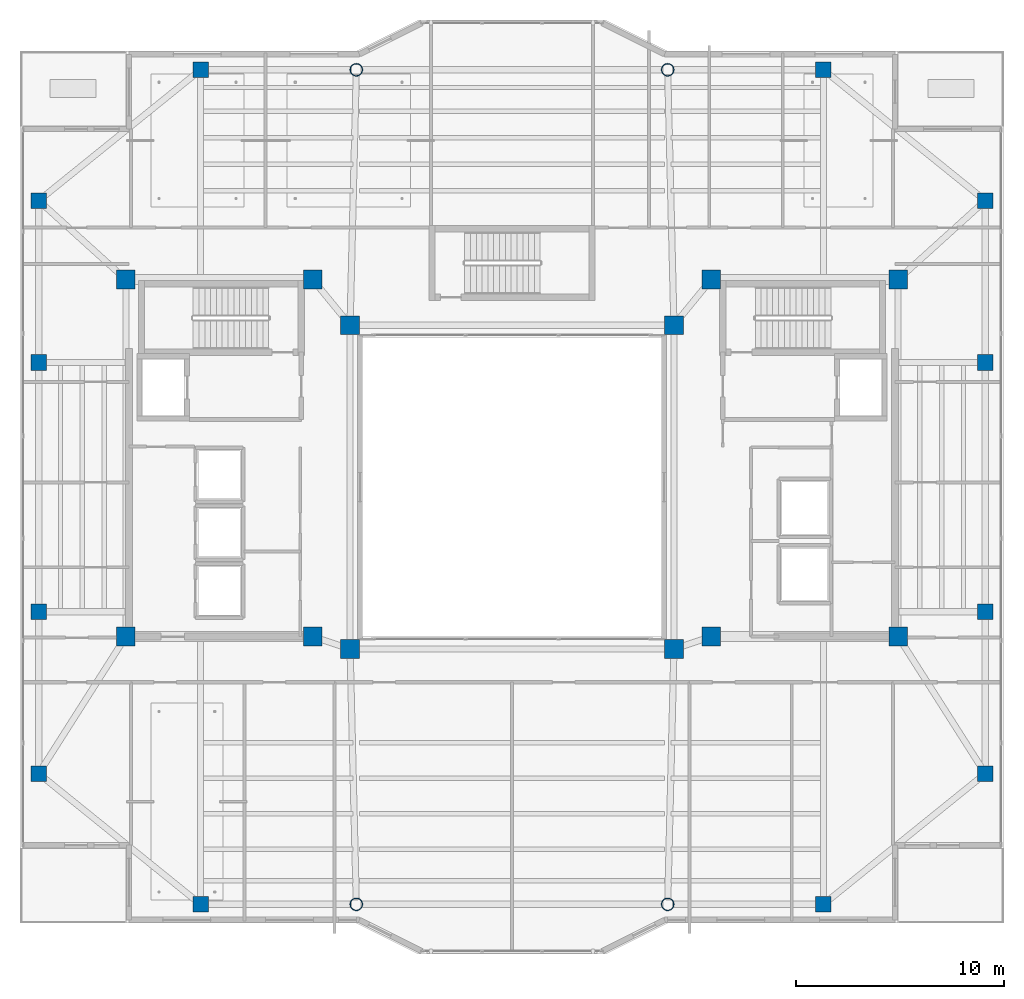
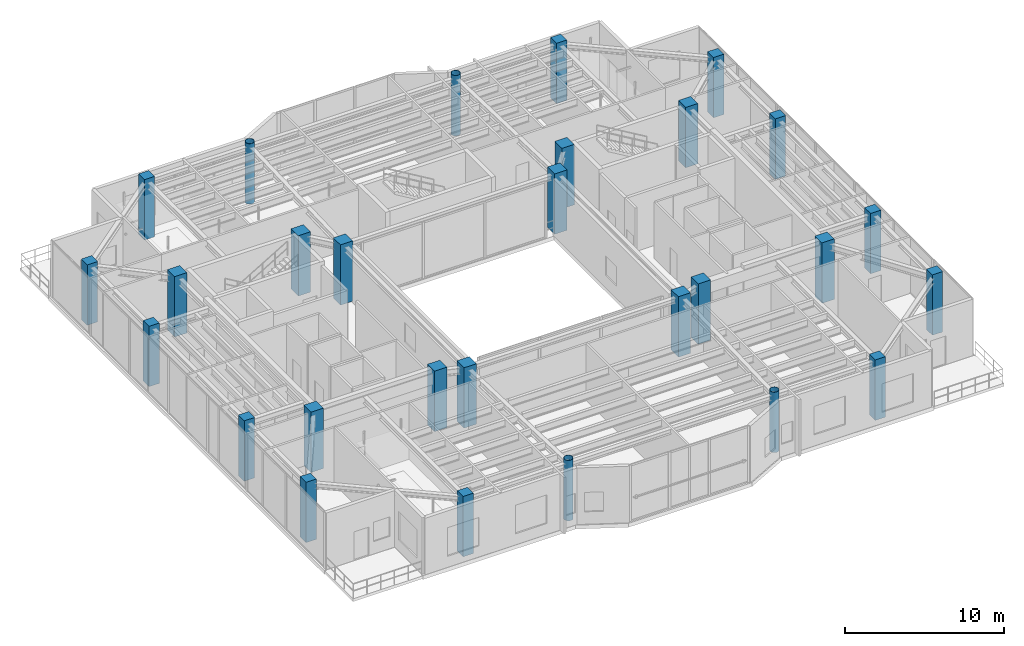
# One storey, part 1 of 34: 28 columns.
"""IFC4 building model written with IfcOpenShell, lengths in metres."""

from ifc_helpers import new_model, si_unit, direction, frame, origin, origin_2d, place, context, subcontext, project, spatial, rectangle, hollow_circle, extrude, material, material_profile, profile_set, type_object, element, save


model = new_model("IFC4")

# Units and contexts
model_context = context("Model", 3, precision=1e-05, world=origin(), true_north=direction((0.0, 1.0)))
body_context = subcontext(model_context, "Body", "Model", "MODEL_VIEW")
ifc_project = project(units=[si_unit("LENGTHUNIT", "METRE"), si_unit("AREAUNIT", "SQUARE_METRE"), si_unit("VOLUMEUNIT", "CUBIC_METRE"), si_unit("PLANEANGLEUNIT", "RADIAN"), si_unit("MASSUNIT", "GRAM", prefix="KILO")], contexts=[model_context])

# Site, building, storey
site_placement = place(None, origin())
site = spatial("IfcSite", under=ifc_project, at=site_placement, CompositionType="ELEMENT")
building_placement = place(site_placement, origin())
building = spatial("IfcBuilding", under=site, at=building_placement, Name="Tarnavaz Court Tower", CompositionType="ELEMENT")
storey_placement = place(building_placement, frame((0.0, 0.0, 231.75)))
storey = spatial("IfcBuildingStorey", under=building, at=storey_placement, Name="L63", CompositionType="ELEMENT", Elevation=231.75)

# Columns
ifc_material_1 = material(Name="Concrete C50/60", Category="concrete")
ifc_material_profile_1 = material_profile(ifc_material_1, rectangle(XDim=0.75, YDim=0.75, at=origin_2d()), Name="RC 750X750")
ifc_profile_set_1 = profile_set([ifc_material_profile_1], Name="Concrete C50/60")
column_type_1 = type_object("IfcColumnType", Name="CL-RC750", PredefinedType="COLUMN", material=ifc_profile_set_1)
for number, where, z_axis, x_axis, name in (
    (1, (-15.0, 20.10009765625, 0.0), (0.0, 0.0, 1.0), (1.0, 0.0, 0.0), "L63 Column PN-1"),
    (2, (15.0, 20.10009765625, 0.0), (0.0, 0.0, 1.0), (1.0, 0.0, 0.0), "L63 Column PN-4"),
    (3, (-15.0, -20.10009765625, 0.0), (0.0, 0.0, 1.0), (1.0, 0.0, 0.0), "L63 Column PS-1"),
    (4, (15.0, -20.10009765625, 0.0), (0.0, 0.0, 1.0), (1.0, 0.0, 0.0), "L63 Column PS-4"),
    (5, (22.800048828125, -13.800048828125, 0.0), (0.0, 0.0, 1.0), (1.0, 0.0, 0.0), "L63 Column PE-1"),
    (6, (22.800048828125, -6.0, 0.0), (0.0, 0.0, 1.0), (1.0, 0.0, 0.0), "L63 Column PE-2"),
    (7, (22.800048828125, 6.0, 0.0), (0.0, 0.0, 1.0), (1.0, 0.0, 0.0), "L63 Column PE-3"),
    (8, (22.800048828125, 13.800048828125, 0.0), (0.0, 0.0, 1.0), (1.0, 0.0, 0.0), "L63 Column PE-4"),
    (9, (-22.800048828125, -13.800048828125, 0.0), (0.0, 0.0, 1.0), (1.0, 0.0, 0.0), "L63 Column PW-1"),
    (10, (-22.800048828125, -6.0, 0.0), (0.0, 0.0, 1.0), (1.0, 0.0, 0.0), "L63 Column PW-2"),
    (11, (-22.800048828125, 6.0, 0.0), (0.0, 0.0, 1.0), (1.0, 0.0, 0.0), "L63 Column PW-3"),
    (12, (-22.800048828125, 13.800048828125, 0.0), (0.0, 0.0, 1.0), (1.0, 0.0, 0.0), "L63 Column PW-4"),
):
    element("IfcColumn", number, at=place(storey_placement, frame(where, z_axis=z_axis, x_axis=x_axis)), inside=storey, type_object=column_type_1, Name=name, PredefinedType="COLUMN", context=body_context, shape_type="SweptSolid", body=[
        extrude(rectangle(XDim=0.75, YDim=0.75, at=origin_2d()), origin(), (0.0, 0.0, 1.0), 4.64990234375),
    ])
ifc_material_profile_2 = material_profile(ifc_material_1, rectangle(XDim=0.89990234375, YDim=0.89990234375, at=origin_2d()), Name="RC 900X900")
ifc_profile_set_2 = profile_set([ifc_material_profile_2], Name="Concrete C50/60")
column_type_2 = type_object("IfcColumnType", Name="CL-RC900", PredefinedType="COLUMN", material=ifc_profile_set_2)
for number, where, z_axis, x_axis, name in (
    (13, (-7.800048828125, -7.800048828125, 0.0), (0.0, 0.0, 1.0), (1.0, 0.0, 0.0), "L63 Column IW-SW"),
    (14, (7.800048828125, -7.800048828125, 0.0), (0.0, 0.0, 1.0), (1.0, 0.0, 0.0), "L63 Column IW-SE"),
    (15, (-7.800048828125, 7.800048828125, 0.0), (0.0, 0.0, 1.0), (1.0, 0.0, 0.0), "L63 Column IW-NW"),
    (16, (7.800048828125, 7.800048828125, 0.0), (0.0, 0.0, 1.0), (1.0, 0.0, 0.0), "L63 Column IW-NE"),
    (17, (-9.60009765625, -7.199951171875, 0.0), (0.0, 0.0, 1.0), (1.0, 0.0, 0.0), "L63 Column CW-SI"),
    (18, (-9.60009765625, 10.0, 0.0), (0.0, 0.0, 1.0), (1.0, 0.0, 0.0), "L63 Column CW-NI"),
    (19, (9.60009765625, -7.199951171875, 0.0), (0.0, 0.0, 1.0), (1.0, 0.0, 0.0), "L63 Column CE-SI"),
    (20, (9.60009765625, 10.0, 0.0), (0.0, 0.0, 1.0), (1.0, 0.0, 0.0), "L63 Column CE-NI"),
    (21, (-18.60009765625, -7.199951171875, 0.0), (0.0, 0.0, 1.0), (1.0, 0.0, 0.0), "L63 Column CW-SO"),
    (22, (-18.60009765625, 10.0, 0.0), (0.0, 0.0, 1.0), (1.0, 0.0, 0.0), "L63 Column CW-NO"),
    (23, (18.60009765625, -7.199951171875, 0.0), (0.0, 0.0, 1.0), (1.0, 0.0, 0.0), "L63 Column CE-SO"),
    (24, (18.60009765625, 10.0, 0.0), (0.0, 0.0, 1.0), (1.0, 0.0, 0.0), "L63 Column CE-NO"),
):
    element("IfcColumn", number, at=place(storey_placement, frame(where, z_axis=z_axis, x_axis=x_axis)), inside=storey, type_object=column_type_2, Name=name, PredefinedType="COLUMN", context=body_context, shape_type="SweptSolid", body=[
        extrude(rectangle(XDim=0.89990234375, YDim=0.89990234375, at=origin_2d()), origin(), (0.0, 0.0, 1.0), 4.64990234375),
    ])
ifc_material_2 = material(Name="Steel S460", Category="steel")
ifc_material_profile_3 = material_profile(ifc_material_2, hollow_circle(Radius=0.304931640625, WallThickness=0.02490234375, at=origin_2d()), Name="CHS 610X25")
ifc_profile_set_3 = profile_set([ifc_material_profile_3], Name="Steel S460")
column_type_3 = type_object("IfcColumnType", Name="CL-S460-CHS610", PredefinedType="COLUMN", material=ifc_profile_set_3)
for number, where, z_axis, x_axis, name in (
    (25, (-7.5, 20.10009765625, 0.0), (0.0, 0.0, 1.0), (1.0, 0.0, 0.0), "L63 Column PN-2"),
    (26, (7.5, 20.10009765625, 0.0), (0.0, 0.0, 1.0), (1.0, 0.0, 0.0), "L63 Column PN-3"),
    (27, (-7.5, -20.10009765625, 0.0), (0.0, 0.0, 1.0), (1.0, 0.0, 0.0), "L63 Column PS-2"),
    (28, (7.5, -20.10009765625, 0.0), (0.0, 0.0, 1.0), (1.0, 0.0, 0.0), "L63 Column PS-3"),
):
    element("IfcColumn", number, at=place(storey_placement, frame(where, z_axis=z_axis, x_axis=x_axis)), inside=storey, type_object=column_type_3, Name=name, PredefinedType="COLUMN", context=body_context, shape_type="SweptSolid", body=[
        extrude(hollow_circle(Radius=0.304931640625, WallThickness=0.02490234375, at=origin_2d()), origin(), (0.0, 0.0, 1.0), 4.64990234375),
    ])

save(model, "model.ifc")
